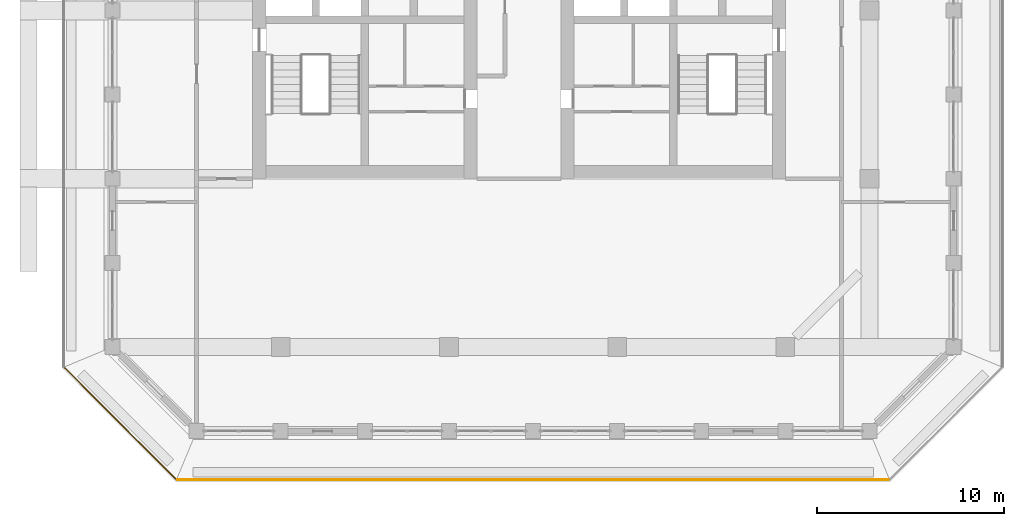
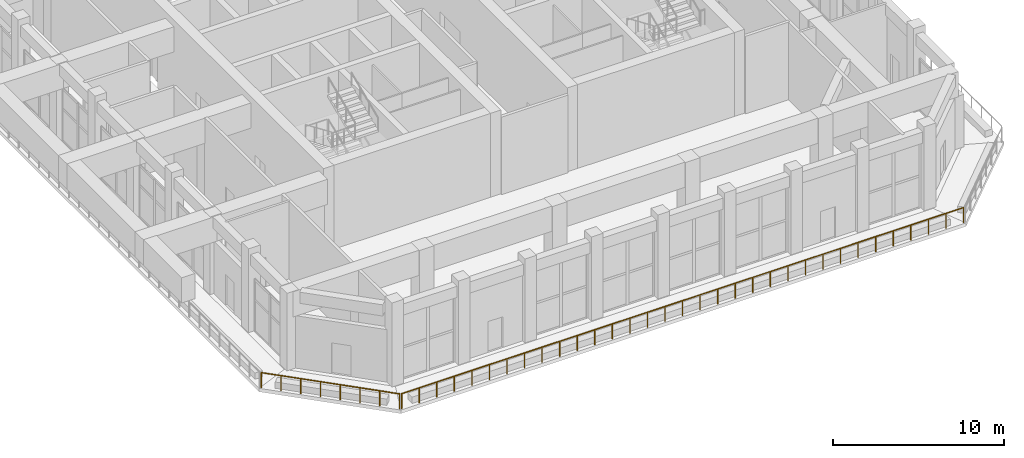
# One storey, part 17 of 25: 2 railings.
"""IFC4 building model written with IfcOpenShell, lengths in metres."""

from ifc_helpers import new_model, si_unit, direction, frame, origin, origin_2d, place, context, subcontext, project, spatial, circle, extrude, material, type_object, element, save


model = new_model("IFC4")

# Units and contexts
model_context = context("Model", 3, precision=1e-05, world=origin(), true_north=direction((0.0, 1.0)))
body_context = subcontext(model_context, "Body", "Model", "MODEL_VIEW")
ifc_project = project(units=[si_unit("LENGTHUNIT", "METRE"), si_unit("AREAUNIT", "SQUARE_METRE"), si_unit("VOLUMEUNIT", "CUBIC_METRE"), si_unit("PLANEANGLEUNIT", "RADIAN"), si_unit("MASSUNIT", "GRAM", prefix="KILO")], contexts=[model_context])

# Site, building, storey
site_placement = place(None, origin())
site = spatial("IfcSite", under=ifc_project, at=site_placement, CompositionType="ELEMENT")
building_placement = place(site_placement, origin())
building = spatial("IfcBuilding", under=site, at=building_placement, Name="Corbel Stack Research Tower", CompositionType="ELEMENT")
storey_placement = place(building_placement, frame((0.0, 0.0, 260.300048828125)))
storey = spatial("IfcBuildingStorey", under=building, at=storey_placement, Name="L59", CompositionType="ELEMENT", Elevation=260.300048828125)

# Railings
ifc_material = material(Name="Powder-coated steel guard", Category="steel")
railing_type = type_object("IfcRailingType", Name="Steel and glass guard 1100", PredefinedType="GUARDRAIL", material=ifc_material)
railing_1_placement = place(storey_placement, frame((-14.50537109375, -25.10009765625, 0.0)))
element("IfcRailing", 1, at=railing_1_placement, inside=storey, type_object=railing_type, Name="Loggia guard L59 S", PredefinedType="GUARDRAIL", context=body_context, shape_type="SweptSolid", body=[
    extrude(circle(Radius=0.02392578125, at=origin_2d()), frame((0.0, 0.0, 1.076171875), z_axis=(1.0, 0.0, 0.0), x_axis=(0.0, 1.0, 0.0)), (0.0, 0.0, 1.0), 38.0107421875),
    extrude(circle(Radius=0.02099609375, at=origin_2d()), origin(), (0.0, 0.0, 1.0), 1.052001953125),
    extrude(circle(Radius=0.02099609375, at=origin_2d()), frame((1.187744140625, 0.0, 0.0)), (0.0, 0.0, 1.0), 1.052001953125),
    extrude(circle(Radius=0.02099609375, at=origin_2d()), frame((2.375732421875, 0.0, 0.0)), (0.0, 0.0, 1.0), 1.052001953125),
    extrude(circle(Radius=0.02099609375, at=origin_2d()), frame((3.5634765625, 0.0, 0.0)), (0.0, 0.0, 1.0), 1.052001953125),
    extrude(circle(Radius=0.02099609375, at=origin_2d()), frame((4.75146484375, 0.0, 0.0)), (0.0, 0.0, 1.0), 1.052001953125),
    extrude(circle(Radius=0.02099609375, at=origin_2d()), frame((5.939208984375, 0.0, 0.0)), (0.0, 0.0, 1.0), 1.052001953125),
    extrude(circle(Radius=0.02099609375, at=origin_2d()), frame((7.126953125, 0.0, 0.0)), (0.0, 0.0, 1.0), 1.052001953125),
    extrude(circle(Radius=0.02099609375, at=origin_2d()), frame((8.31494140625, 0.0, 0.0)), (0.0, 0.0, 1.0), 1.052001953125),
    extrude(circle(Radius=0.02099609375, at=origin_2d()), frame((9.502685546875, 0.0, 0.0)), (0.0, 0.0, 1.0), 1.052001953125),
    extrude(circle(Radius=0.02099609375, at=origin_2d()), frame((10.6904296875, 0.0, 0.0)), (0.0, 0.0, 1.0), 1.052001953125),
    extrude(circle(Radius=0.02099609375, at=origin_2d()), frame((11.87841796875, 0.0, 0.0)), (0.0, 0.0, 1.0), 1.052001953125),
    extrude(circle(Radius=0.02099609375, at=origin_2d()), frame((13.066162109375, 0.0, 0.0)), (0.0, 0.0, 1.0), 1.052001953125),
    extrude(circle(Radius=0.02099609375, at=origin_2d()), frame((14.25390625, 0.0, 0.0)), (0.0, 0.0, 1.0), 1.052001953125),
    extrude(circle(Radius=0.02099609375, at=origin_2d()), frame((15.44189453125, 0.0, 0.0)), (0.0, 0.0, 1.0), 1.052001953125),
    extrude(circle(Radius=0.02099609375, at=origin_2d()), frame((16.629638671875, 0.0, 0.0)), (0.0, 0.0, 1.0), 1.052001953125),
    extrude(circle(Radius=0.02099609375, at=origin_2d()), frame((17.817626953125, 0.0, 0.0)), (0.0, 0.0, 1.0), 1.052001953125),
    extrude(circle(Radius=0.02099609375, at=origin_2d()), frame((19.00537109375, 0.0, 0.0)), (0.0, 0.0, 1.0), 1.052001953125),
    extrude(circle(Radius=0.02099609375, at=origin_2d()), frame((20.193115234375, 0.0, 0.0)), (0.0, 0.0, 1.0), 1.052001953125),
    extrude(circle(Radius=0.02099609375, at=origin_2d()), frame((21.381103515625, 0.0, 0.0)), (0.0, 0.0, 1.0), 1.052001953125),
    extrude(circle(Radius=0.02099609375, at=origin_2d()), frame((22.56884765625, 0.0, 0.0)), (0.0, 0.0, 1.0), 1.052001953125),
    extrude(circle(Radius=0.02099609375, at=origin_2d()), frame((23.7568359375, 0.0, 0.0)), (0.0, 0.0, 1.0), 1.052001953125),
    extrude(circle(Radius=0.02099609375, at=origin_2d()), frame((24.944580078125, 0.0, 0.0)), (0.0, 0.0, 1.0), 1.052001953125),
    extrude(circle(Radius=0.02099609375, at=origin_2d()), frame((26.13232421875, 0.0, 0.0)), (0.0, 0.0, 1.0), 1.052001953125),
    extrude(circle(Radius=0.02099609375, at=origin_2d()), frame((27.3203125, 0.0, 0.0)), (0.0, 0.0, 1.0), 1.052001953125),
    extrude(circle(Radius=0.02099609375, at=origin_2d()), frame((28.508056640625, 0.0, 0.0)), (0.0, 0.0, 1.0), 1.052001953125),
    extrude(circle(Radius=0.02099609375, at=origin_2d()), frame((29.69580078125, 0.0, 0.0)), (0.0, 0.0, 1.0), 1.052001953125),
    extrude(circle(Radius=0.02099609375, at=origin_2d()), frame((30.8837890625, 0.0, 0.0)), (0.0, 0.0, 1.0), 1.052001953125),
    extrude(circle(Radius=0.02099609375, at=origin_2d()), frame((32.071533203125, 0.0, 0.0)), (0.0, 0.0, 1.0), 1.052001953125),
    extrude(circle(Radius=0.02099609375, at=origin_2d()), frame((33.25927734375, 0.0, 0.0)), (0.0, 0.0, 1.0), 1.052001953125),
    extrude(circle(Radius=0.02099609375, at=origin_2d()), frame((34.447265625, 0.0, 0.0)), (0.0, 0.0, 1.0), 1.052001953125),
    extrude(circle(Radius=0.02099609375, at=origin_2d()), frame((35.635009765625, 0.0, 0.0)), (0.0, 0.0, 1.0), 1.052001953125),
    extrude(circle(Radius=0.02099609375, at=origin_2d()), frame((36.822998046875, 0.0, 0.0)), (0.0, 0.0, 1.0), 1.052001953125),
    extrude(circle(Radius=0.02099609375, at=origin_2d()), frame((38.0107421875, 0.0, 0.0)), (0.0, 0.0, 1.0), 1.052001953125),
])
railing_2_placement = place(storey_placement, frame((-20.54931640625, -19.127685546875, 0.0)))
element("IfcRailing", 2, at=railing_2_placement, inside=storey, type_object=railing_type, Name="Loggia guard L59 SW", PredefinedType="GUARDRAIL", context=body_context, shape_type="SweptSolid", body=[
    extrude(circle(Radius=0.02392578125, at=origin_2d()), frame((0.0, 0.0, 1.076171875), z_axis=(0.707106781187, -0.707106781187, 0.0), x_axis=(0.707106781187, 0.707106781187, 0.0)), (0.0, 0.0, 1.0), 8.37451171875),
    extrude(circle(Radius=0.02099609375, at=origin_2d()), origin(), (0.0, 0.0, 1.0), 1.052001953125),
    extrude(circle(Radius=0.02099609375, at=origin_2d()), frame((0.845947265625, -0.845947265625, 0.0)), (0.0, 0.0, 1.0), 1.052001953125),
    extrude(circle(Radius=0.02099609375, at=origin_2d()), frame((1.69189453125, -1.69189453125, 0.0)), (0.0, 0.0, 1.0), 1.052001953125),
    extrude(circle(Radius=0.02099609375, at=origin_2d()), frame((2.537841796875, -2.537841796875, 0.0)), (0.0, 0.0, 1.0), 1.052001953125),
    extrude(circle(Radius=0.02099609375, at=origin_2d()), frame((3.3837890625, -3.3837890625, 0.0)), (0.0, 0.0, 1.0), 1.052001953125),
    extrude(circle(Radius=0.02099609375, at=origin_2d()), frame((4.229736328125, -4.229736328125, 0.0)), (0.0, 0.0, 1.0), 1.052001953125),
    extrude(circle(Radius=0.02099609375, at=origin_2d()), frame((5.07568359375, -5.07568359375, 0.0)), (0.0, 0.0, 1.0), 1.052001953125),
    extrude(circle(Radius=0.02099609375, at=origin_2d()), frame((5.921630859375, -5.921630859375, 0.0)), (0.0, 0.0, 1.0), 1.052001953125),
])

save(model, "model.ifc")
